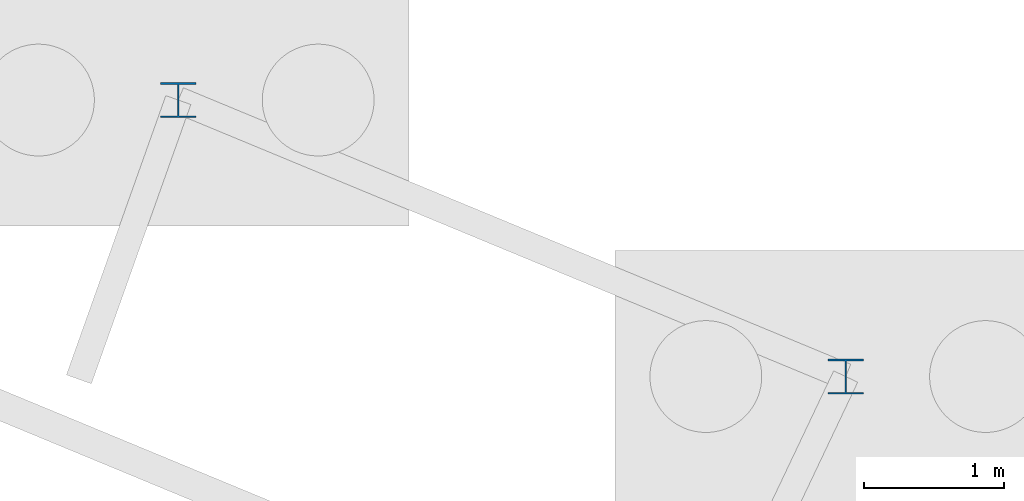
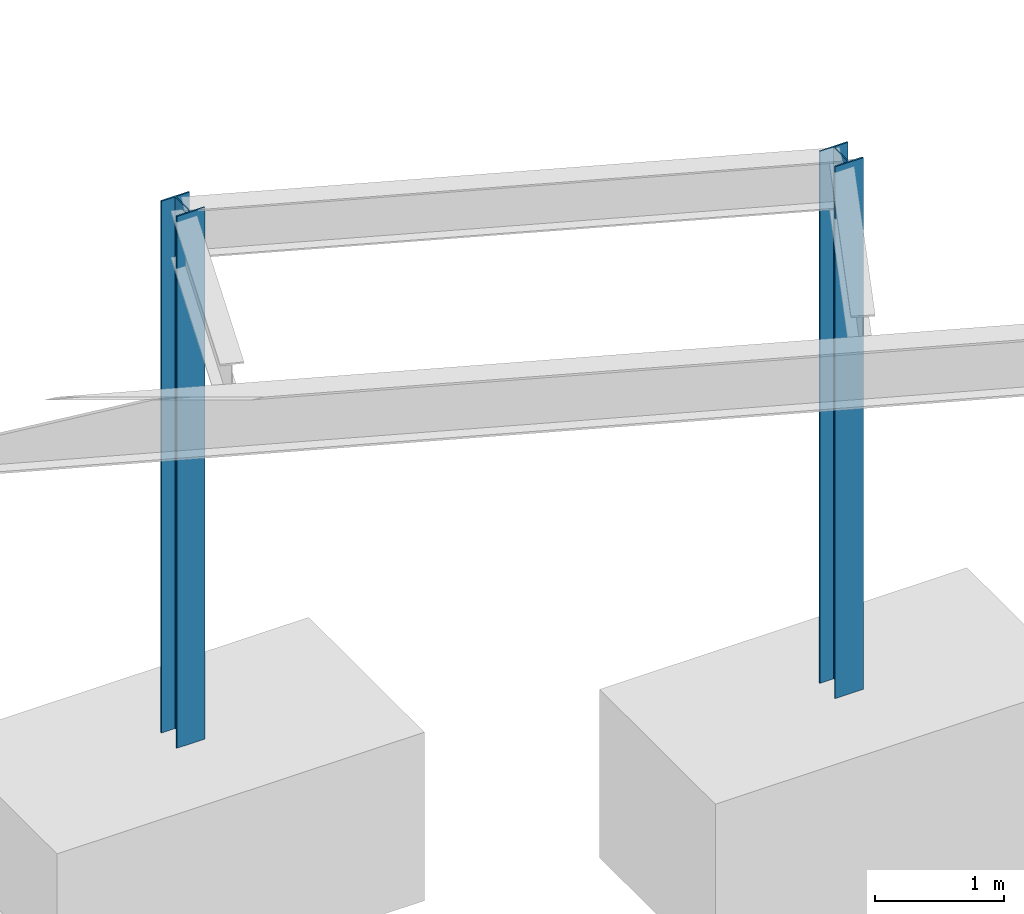
# One storey, part 28 of 55: 2 columns.
"""IFC4 building model written with IfcOpenShell, lengths in metres."""

from ifc_helpers import new_model, si_unit, direction, frame, origin, origin_2d, place, context, subcontext, project, spatial, i_section, extrude, material, material_profile, profile_set, type_object, element, save


model = new_model("IFC4")

# Units and contexts
model_context = context("Model", 3, precision=1e-05, world=origin(), true_north=direction((0.0, 1.0)))
body_context = subcontext(model_context, "Body", "Model", "MODEL_VIEW")
ifc_project = project(units=[si_unit("LENGTHUNIT", "METRE"), si_unit("AREAUNIT", "SQUARE_METRE"), si_unit("VOLUMEUNIT", "CUBIC_METRE"), si_unit("PLANEANGLEUNIT", "RADIAN"), si_unit("MASSUNIT", "GRAM", prefix="KILO")], contexts=[model_context])

# Site, building, storey
site_placement = place(None, origin())
site = spatial("IfcSite", under=ifc_project, at=site_placement, CompositionType="ELEMENT")
building_placement = place(site_placement, origin())
building = spatial("IfcBuilding", under=site, at=building_placement, Name="Almandine Court Research Institute", CompositionType="ELEMENT")
storey_placement = place(building_placement, frame((0.0, 0.0, -5.25)))
storey = spatial("IfcBuildingStorey", under=building, at=storey_placement, Name="B1", CompositionType="ELEMENT", Elevation=-5.25)

# Columns
ifc_material = material(Name="Steel ASTM A992 Grade 50", Category="steel")
ifc_material_profile = material_profile(ifc_material, i_section(OverallWidth=0.25390625, OverallDepth=0.2529296875, WebThickness=0.009033203125, FlangeThickness=0.013916015625, at=origin_2d()), Name="W250x73")
ifc_profile_set = profile_set([ifc_material_profile], Name="Steel ASTM A992 Grade 50")
column_type = type_object("IfcColumnType", Name="Col-C-W10", PredefinedType="COLUMN", material=ifc_profile_set)
for number, where, z_axis, x_axis, name in (
    (1, (108.89697265625, 102.114990234375, 0.0), (0.0, 0.0, 1.0), (1.0, 0.0, 0.0), "B1 Exterior Threshold Support Column PAD-DRUM-S04-C1"),
    (2, (104.125, 104.092041015625, 0.0), (0.0, 0.0, 1.0), (1.0, 0.0, 0.0), "B1 Exterior Threshold Support Column PAD-DRUM-S04-C2"),
):
    element("IfcColumn", number, at=place(storey_placement, frame(where, z_axis=z_axis, x_axis=x_axis)), inside=storey, type_object=column_type, Name=name, PredefinedType="COLUMN", context=body_context, shape_type="SweptSolid", body=[
        extrude(i_section(OverallWidth=0.25390625, OverallDepth=0.2529296875, WebThickness=0.009033203125, FlangeThickness=0.013916015625, at=origin_2d()), origin(), (0.0, 0.0, 1.0), 5.050048828125),
    ])

save(model, "model.ifc")
